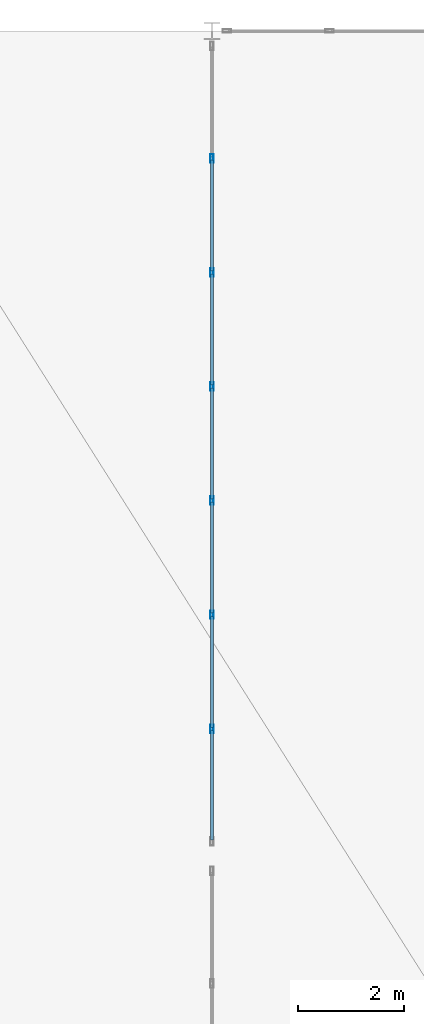
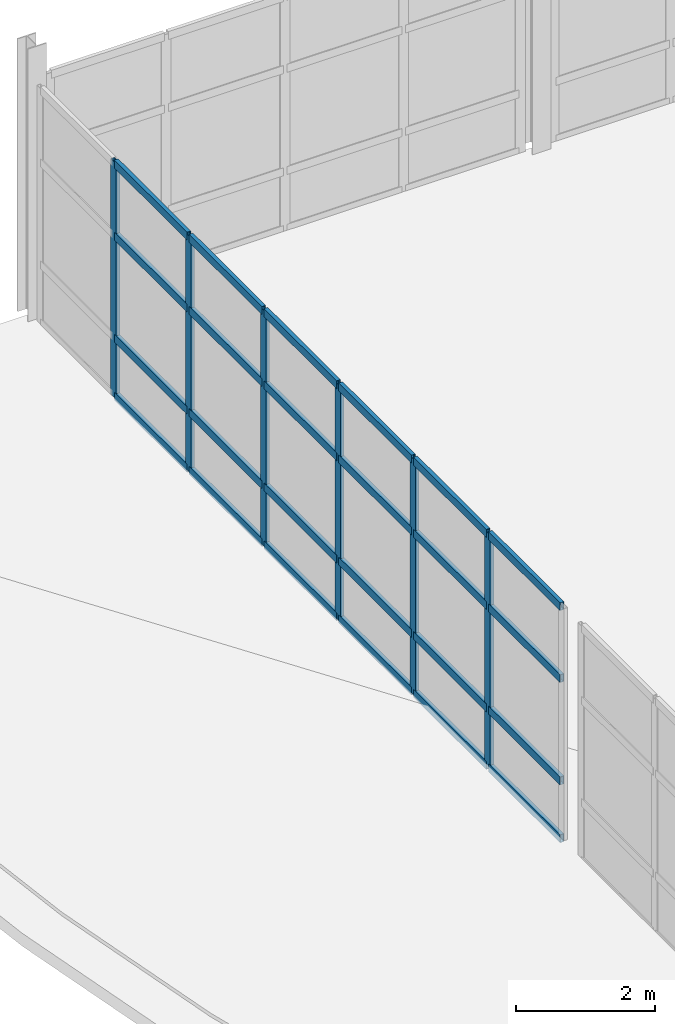
# One storey, part 7 of 14: 30 members, 1 element without a shape of its own.
"""IFC4 building model written with IfcOpenShell, lengths in metres."""

from ifc_helpers import new_model, si_unit, direction, frame, origin, origin_2d, place, context, subcontext, project, spatial, hollow_rectangle, extrude, material, layer, layer_set, material_profile, profile_set, type_object, element, aggregate, save


model = new_model("IFC4")

# Units and contexts
model_context = context("Model", 3, precision=1e-05, world=origin(), true_north=direction((0.0, 1.0)))
body_context = subcontext(model_context, "Body", "Model", "MODEL_VIEW")
ifc_project = project(units=[si_unit("LENGTHUNIT", "METRE"), si_unit("AREAUNIT", "SQUARE_METRE"), si_unit("VOLUMEUNIT", "CUBIC_METRE"), si_unit("PLANEANGLEUNIT", "RADIAN"), si_unit("MASSUNIT", "GRAM", prefix="KILO")], contexts=[model_context])

# Site, building, storey
site_placement = place(None, origin())
site = spatial("IfcSite", under=ifc_project, at=site_placement, CompositionType="ELEMENT")
building_placement = place(site_placement, origin())
building = spatial("IfcBuilding", under=site, at=building_placement, Name="Selat Folded Stagehouse", CompositionType="ELEMENT")
storey_placement = place(building_placement, frame((0.0, 0.0, 27.60009765625)))
storey = spatial("IfcBuildingStorey", under=building, at=storey_placement, Name="L06", CompositionType="ELEMENT", Elevation=27.60009765625)

# Curtain wall, members
ifc_material = material(Name="Aluminium 6063-T6", Category="aluminium")
ifc_layer = layer(ifc_material, 0.175048828125)
ifc_layer_set = layer_set([ifc_layer], Name="Aluminium 6063-T6")
curtain_wall_type = type_object("IfcCurtainWallType", Name="CW-BRG-GLAZ", PredefinedType="NOTDEFINED", material=ifc_layer_set)
curtain_wall_placement = place(storey_placement, origin())
curtain_wall = element("IfcCurtainWall", 1, at=curtain_wall_placement, inside=storey, type_object=curtain_wall_type, Name="L06 curtain wall CW-BRG-27", PredefinedType="NOTDEFINED")
ifc_material_profile_1 = material_profile(ifc_material, hollow_rectangle(XDim=0.06005859375, YDim=0.159912109375, WallThickness=0.00390625, at=origin_2d()), Name="ALU 160x60x4.0")
ifc_profile_set_1 = profile_set([ifc_material_profile_1], Name="Aluminium 6063-T6")
member_type_1 = type_object("IfcMemberType", Name="CWM-MUL-160x60", PredefinedType="MULLION", material=ifc_profile_set_1)
member_1_placement = place(storey_placement, frame((8.39990234375, 41.4072265625, 0.0), z_axis=(0.0, 0.0, 1.0), x_axis=(-1.0, 0.0, 0.0)))
member_1 = element("IfcMember", 2, at=member_1_placement, type_object=member_type_1, Name="CW-07 mullion 2", PredefinedType="MULLION", context=body_context, shape_type="SweptSolid", body=[
    extrude(hollow_rectangle(XDim=0.06005859375, YDim=0.159912109375, WallThickness=0.00390625, at=origin_2d()), origin(), (0.0, 0.0, 1.0), 4.14990234375),
])
member_2_placement = place(storey_placement, frame((8.39990234375, 43.564208984375, 0.0), z_axis=(0.0, 0.0, 1.0), x_axis=(-1.0, 0.0, 0.0)))
member_2 = element("IfcMember", 3, at=member_2_placement, type_object=member_type_1, Name="CW-07 mullion 3", PredefinedType="MULLION", context=body_context, shape_type="SweptSolid", body=[
    extrude(hollow_rectangle(XDim=0.06005859375, YDim=0.159912109375, WallThickness=0.00390625, at=origin_2d()), origin(), (0.0, 0.0, 1.0), 4.14990234375),
])
member_3_placement = place(storey_placement, frame((8.39990234375, 45.721435546875, 0.0), z_axis=(0.0, 0.0, 1.0), x_axis=(-1.0, 0.0, 0.0)))
member_3 = element("IfcMember", 4, at=member_3_placement, type_object=member_type_1, Name="CW-07 mullion 4", PredefinedType="MULLION", context=body_context, shape_type="SweptSolid", body=[
    extrude(hollow_rectangle(XDim=0.06005859375, YDim=0.159912109375, WallThickness=0.00390625, at=origin_2d()), origin(), (0.0, 0.0, 1.0), 4.14990234375),
])
member_4_placement = place(storey_placement, frame((8.39990234375, 47.878662109375, 0.0), z_axis=(0.0, 0.0, 1.0), x_axis=(-1.0, 0.0, 0.0)))
member_4 = element("IfcMember", 5, at=member_4_placement, type_object=member_type_1, Name="CW-07 mullion 5", PredefinedType="MULLION", context=body_context, shape_type="SweptSolid", body=[
    extrude(hollow_rectangle(XDim=0.06005859375, YDim=0.159912109375, WallThickness=0.00390625, at=origin_2d()), origin(), (0.0, 0.0, 1.0), 4.14990234375),
])
member_5_placement = place(storey_placement, frame((8.39990234375, 50.03564453125, 0.0), z_axis=(0.0, 0.0, 1.0), x_axis=(-1.0, 0.0, 0.0)))
member_5 = element("IfcMember", 6, at=member_5_placement, type_object=member_type_1, Name="CW-07 mullion 6", PredefinedType="MULLION", context=body_context, shape_type="SweptSolid", body=[
    extrude(hollow_rectangle(XDim=0.06005859375, YDim=0.159912109375, WallThickness=0.00390625, at=origin_2d()), origin(), (0.0, 0.0, 1.0), 4.14990234375),
])
member_6_placement = place(storey_placement, frame((8.39990234375, 52.19287109375, 0.0), z_axis=(0.0, 0.0, 1.0), x_axis=(-1.0, 0.0, 0.0)))
member_6 = element("IfcMember", 7, at=member_6_placement, type_object=member_type_1, Name="CW-07 mullion 7", PredefinedType="MULLION", context=body_context, shape_type="SweptSolid", body=[
    extrude(hollow_rectangle(XDim=0.06005859375, YDim=0.159912109375, WallThickness=0.00390625, at=origin_2d()), origin(), (0.0, 0.0, 1.0), 4.14990234375),
])
ifc_material_profile_2 = material_profile(ifc_material, hollow_rectangle(XDim=0.06494140625, YDim=0.139892578125, WallThickness=0.00390625, at=origin_2d()), Name="ALU 140x65x4.0")
ifc_profile_set_2 = profile_set([ifc_material_profile_2], Name="Aluminium 6063-T6")
member_type_2 = type_object("IfcMemberType", Name="CWM-TRN-140x65", PredefinedType="USERDEFINED", material=ifc_profile_set_2)
member_7_placement = place(storey_placement, frame((8.39990234375, 39.31005859375, 0.032470703125), z_axis=(0.0, 1.0, 0.0), x_axis=(-1.0, 0.0, 0.0)))
member_7 = element("IfcMember", 8, at=member_7_placement, type_object=member_type_2, Name="CW-07 transom 1.1", ObjectType="TRANSOM", PredefinedType="USERDEFINED", context=body_context, shape_type="SweptSolid", body=[
    extrude(hollow_rectangle(XDim=0.06494140625, YDim=0.139892578125, WallThickness=0.00390625, at=origin_2d()), origin(), (0.0, 0.0, 1.0), 2.067138671875),
])
member_8_placement = place(storey_placement, frame((8.39990234375, 39.31005859375, 1.0498046875), z_axis=(0.0, 1.0, 0.0), x_axis=(-1.0, 0.0, 0.0)))
member_8 = element("IfcMember", 9, at=member_8_placement, type_object=member_type_2, Name="CW-07 transom 1.2", ObjectType="TRANSOM", PredefinedType="USERDEFINED", context=body_context, shape_type="SweptSolid", body=[
    extrude(hollow_rectangle(XDim=0.06494140625, YDim=0.139892578125, WallThickness=0.00390625, at=origin_2d()), origin(), (0.0, 0.0, 1.0), 2.067138671875),
])
member_9_placement = place(storey_placement, frame((8.39990234375, 39.31005859375, 2.849853515625), z_axis=(0.0, 1.0, 0.0), x_axis=(-1.0, 0.0, 0.0)))
member_9 = element("IfcMember", 10, at=member_9_placement, type_object=member_type_2, Name="CW-07 transom 1.3", ObjectType="TRANSOM", PredefinedType="USERDEFINED", context=body_context, shape_type="SweptSolid", body=[
    extrude(hollow_rectangle(XDim=0.06494140625, YDim=0.139892578125, WallThickness=0.00390625, at=origin_2d()), origin(), (0.0, 0.0, 1.0), 2.067138671875),
])
member_10_placement = place(storey_placement, frame((8.39990234375, 39.31005859375, 4.117431640625), z_axis=(0.0, 1.0, 0.0), x_axis=(-1.0, 0.0, 0.0)))
member_10 = element("IfcMember", 11, at=member_10_placement, type_object=member_type_2, Name="CW-07 transom 1.4", ObjectType="TRANSOM", PredefinedType="USERDEFINED", context=body_context, shape_type="SweptSolid", body=[
    extrude(hollow_rectangle(XDim=0.06494140625, YDim=0.139892578125, WallThickness=0.00390625, at=origin_2d()), origin(), (0.0, 0.0, 1.0), 2.067138671875),
])
member_11_placement = place(storey_placement, frame((8.39990234375, 41.437255859375, 0.032470703125), z_axis=(0.0, 1.0, 0.0), x_axis=(-1.0, 0.0, 0.0)))
member_11 = element("IfcMember", 12, at=member_11_placement, type_object=member_type_2, Name="CW-07 transom 2.1", ObjectType="TRANSOM", PredefinedType="USERDEFINED", context=body_context, shape_type="SweptSolid", body=[
    extrude(hollow_rectangle(XDim=0.06494140625, YDim=0.139892578125, WallThickness=0.00390625, at=origin_2d()), origin(), (0.0, 0.0, 1.0), 2.096923828125),
])
member_12_placement = place(storey_placement, frame((8.39990234375, 41.437255859375, 1.0498046875), z_axis=(0.0, 1.0, 0.0), x_axis=(-1.0, 0.0, 0.0)))
member_12 = element("IfcMember", 13, at=member_12_placement, type_object=member_type_2, Name="CW-07 transom 2.2", ObjectType="TRANSOM", PredefinedType="USERDEFINED", context=body_context, shape_type="SweptSolid", body=[
    extrude(hollow_rectangle(XDim=0.06494140625, YDim=0.139892578125, WallThickness=0.00390625, at=origin_2d()), origin(), (0.0, 0.0, 1.0), 2.096923828125),
])
member_13_placement = place(storey_placement, frame((8.39990234375, 41.437255859375, 2.849853515625), z_axis=(0.0, 1.0, 0.0), x_axis=(-1.0, 0.0, 0.0)))
member_13 = element("IfcMember", 14, at=member_13_placement, type_object=member_type_2, Name="CW-07 transom 2.3", ObjectType="TRANSOM", PredefinedType="USERDEFINED", context=body_context, shape_type="SweptSolid", body=[
    extrude(hollow_rectangle(XDim=0.06494140625, YDim=0.139892578125, WallThickness=0.00390625, at=origin_2d()), origin(), (0.0, 0.0, 1.0), 2.096923828125),
])
member_14_placement = place(storey_placement, frame((8.39990234375, 41.437255859375, 4.117431640625), z_axis=(0.0, 1.0, 0.0), x_axis=(-1.0, 0.0, 0.0)))
member_14 = element("IfcMember", 15, at=member_14_placement, type_object=member_type_2, Name="CW-07 transom 2.4", ObjectType="TRANSOM", PredefinedType="USERDEFINED", context=body_context, shape_type="SweptSolid", body=[
    extrude(hollow_rectangle(XDim=0.06494140625, YDim=0.139892578125, WallThickness=0.00390625, at=origin_2d()), origin(), (0.0, 0.0, 1.0), 2.096923828125),
])
member_15_placement = place(storey_placement, frame((8.39990234375, 43.59423828125, 0.032470703125), z_axis=(0.0, 1.0, 0.0), x_axis=(-1.0, 0.0, 0.0)))
member_15 = element("IfcMember", 16, at=member_15_placement, type_object=member_type_2, Name="CW-07 transom 3.1", ObjectType="TRANSOM", PredefinedType="USERDEFINED", context=body_context, shape_type="SweptSolid", body=[
    extrude(hollow_rectangle(XDim=0.06494140625, YDim=0.139892578125, WallThickness=0.00390625, at=origin_2d()), origin(), (0.0, 0.0, 1.0), 2.09716796875),
])
member_16_placement = place(storey_placement, frame((8.39990234375, 43.59423828125, 1.0498046875), z_axis=(0.0, 1.0, 0.0), x_axis=(-1.0, 0.0, 0.0)))
member_16 = element("IfcMember", 17, at=member_16_placement, type_object=member_type_2, Name="CW-07 transom 3.2", ObjectType="TRANSOM", PredefinedType="USERDEFINED", context=body_context, shape_type="SweptSolid", body=[
    extrude(hollow_rectangle(XDim=0.06494140625, YDim=0.139892578125, WallThickness=0.00390625, at=origin_2d()), origin(), (0.0, 0.0, 1.0), 2.09716796875),
])
member_17_placement = place(storey_placement, frame((8.39990234375, 43.59423828125, 2.849853515625), z_axis=(0.0, 1.0, 0.0), x_axis=(-1.0, 0.0, 0.0)))
member_17 = element("IfcMember", 18, at=member_17_placement, type_object=member_type_2, Name="CW-07 transom 3.3", ObjectType="TRANSOM", PredefinedType="USERDEFINED", context=body_context, shape_type="SweptSolid", body=[
    extrude(hollow_rectangle(XDim=0.06494140625, YDim=0.139892578125, WallThickness=0.00390625, at=origin_2d()), origin(), (0.0, 0.0, 1.0), 2.09716796875),
])
member_18_placement = place(storey_placement, frame((8.39990234375, 43.59423828125, 4.117431640625), z_axis=(0.0, 1.0, 0.0), x_axis=(-1.0, 0.0, 0.0)))
member_18 = element("IfcMember", 19, at=member_18_placement, type_object=member_type_2, Name="CW-07 transom 3.4", ObjectType="TRANSOM", PredefinedType="USERDEFINED", context=body_context, shape_type="SweptSolid", body=[
    extrude(hollow_rectangle(XDim=0.06494140625, YDim=0.139892578125, WallThickness=0.00390625, at=origin_2d()), origin(), (0.0, 0.0, 1.0), 2.09716796875),
])
member_19_placement = place(storey_placement, frame((8.39990234375, 45.75146484375, 0.032470703125), z_axis=(0.0, 1.0, 0.0), x_axis=(-1.0, 0.0, 0.0)))
member_19 = element("IfcMember", 20, at=member_19_placement, type_object=member_type_2, Name="CW-07 transom 4.1", ObjectType="TRANSOM", PredefinedType="USERDEFINED", context=body_context, shape_type="SweptSolid", body=[
    extrude(hollow_rectangle(XDim=0.06494140625, YDim=0.139892578125, WallThickness=0.00390625, at=origin_2d()), origin(), (0.0, 0.0, 1.0), 2.09716796875),
])
member_20_placement = place(storey_placement, frame((8.39990234375, 45.75146484375, 1.0498046875), z_axis=(0.0, 1.0, 0.0), x_axis=(-1.0, 0.0, 0.0)))
member_20 = element("IfcMember", 21, at=member_20_placement, type_object=member_type_2, Name="CW-07 transom 4.2", ObjectType="TRANSOM", PredefinedType="USERDEFINED", context=body_context, shape_type="SweptSolid", body=[
    extrude(hollow_rectangle(XDim=0.06494140625, YDim=0.139892578125, WallThickness=0.00390625, at=origin_2d()), origin(), (0.0, 0.0, 1.0), 2.09716796875),
])
member_21_placement = place(storey_placement, frame((8.39990234375, 45.75146484375, 2.849853515625), z_axis=(0.0, 1.0, 0.0), x_axis=(-1.0, 0.0, 0.0)))
member_21 = element("IfcMember", 22, at=member_21_placement, type_object=member_type_2, Name="CW-07 transom 4.3", ObjectType="TRANSOM", PredefinedType="USERDEFINED", context=body_context, shape_type="SweptSolid", body=[
    extrude(hollow_rectangle(XDim=0.06494140625, YDim=0.139892578125, WallThickness=0.00390625, at=origin_2d()), origin(), (0.0, 0.0, 1.0), 2.09716796875),
])
member_22_placement = place(storey_placement, frame((8.39990234375, 45.75146484375, 4.117431640625), z_axis=(0.0, 1.0, 0.0), x_axis=(-1.0, 0.0, 0.0)))
member_22 = element("IfcMember", 23, at=member_22_placement, type_object=member_type_2, Name="CW-07 transom 4.4", ObjectType="TRANSOM", PredefinedType="USERDEFINED", context=body_context, shape_type="SweptSolid", body=[
    extrude(hollow_rectangle(XDim=0.06494140625, YDim=0.139892578125, WallThickness=0.00390625, at=origin_2d()), origin(), (0.0, 0.0, 1.0), 2.09716796875),
])
member_23_placement = place(storey_placement, frame((8.39990234375, 47.90869140625, 0.032470703125), z_axis=(0.0, 1.0, 0.0), x_axis=(-1.0, 0.0, 0.0)))
member_23 = element("IfcMember", 24, at=member_23_placement, type_object=member_type_2, Name="CW-07 transom 5.1", ObjectType="TRANSOM", PredefinedType="USERDEFINED", context=body_context, shape_type="SweptSolid", body=[
    extrude(hollow_rectangle(XDim=0.06494140625, YDim=0.139892578125, WallThickness=0.00390625, at=origin_2d()), origin(), (0.0, 0.0, 1.0), 2.096923828125),
])
member_24_placement = place(storey_placement, frame((8.39990234375, 47.90869140625, 1.0498046875), z_axis=(0.0, 1.0, 0.0), x_axis=(-1.0, 0.0, 0.0)))
member_24 = element("IfcMember", 25, at=member_24_placement, type_object=member_type_2, Name="CW-07 transom 5.2", ObjectType="TRANSOM", PredefinedType="USERDEFINED", context=body_context, shape_type="SweptSolid", body=[
    extrude(hollow_rectangle(XDim=0.06494140625, YDim=0.139892578125, WallThickness=0.00390625, at=origin_2d()), origin(), (0.0, 0.0, 1.0), 2.096923828125),
])
member_25_placement = place(storey_placement, frame((8.39990234375, 47.90869140625, 2.849853515625), z_axis=(0.0, 1.0, 0.0), x_axis=(-1.0, 0.0, 0.0)))
member_25 = element("IfcMember", 26, at=member_25_placement, type_object=member_type_2, Name="CW-07 transom 5.3", ObjectType="TRANSOM", PredefinedType="USERDEFINED", context=body_context, shape_type="SweptSolid", body=[
    extrude(hollow_rectangle(XDim=0.06494140625, YDim=0.139892578125, WallThickness=0.00390625, at=origin_2d()), origin(), (0.0, 0.0, 1.0), 2.096923828125),
])
member_26_placement = place(storey_placement, frame((8.39990234375, 47.90869140625, 4.117431640625), z_axis=(0.0, 1.0, 0.0), x_axis=(-1.0, 0.0, 0.0)))
member_26 = element("IfcMember", 27, at=member_26_placement, type_object=member_type_2, Name="CW-07 transom 5.4", ObjectType="TRANSOM", PredefinedType="USERDEFINED", context=body_context, shape_type="SweptSolid", body=[
    extrude(hollow_rectangle(XDim=0.06494140625, YDim=0.139892578125, WallThickness=0.00390625, at=origin_2d()), origin(), (0.0, 0.0, 1.0), 2.096923828125),
])
member_27_placement = place(storey_placement, frame((8.39990234375, 50.065673828125, 0.032470703125), z_axis=(0.0, 1.0, 0.0), x_axis=(-1.0, 0.0, 0.0)))
member_27 = element("IfcMember", 28, at=member_27_placement, type_object=member_type_2, Name="CW-07 transom 6.1", ObjectType="TRANSOM", PredefinedType="USERDEFINED", context=body_context, shape_type="SweptSolid", body=[
    extrude(hollow_rectangle(XDim=0.06494140625, YDim=0.139892578125, WallThickness=0.00390625, at=origin_2d()), origin(), (0.0, 0.0, 1.0), 2.09716796875),
])
member_28_placement = place(storey_placement, frame((8.39990234375, 50.065673828125, 1.0498046875), z_axis=(0.0, 1.0, 0.0), x_axis=(-1.0, 0.0, 0.0)))
member_28 = element("IfcMember", 29, at=member_28_placement, type_object=member_type_2, Name="CW-07 transom 6.2", ObjectType="TRANSOM", PredefinedType="USERDEFINED", context=body_context, shape_type="SweptSolid", body=[
    extrude(hollow_rectangle(XDim=0.06494140625, YDim=0.139892578125, WallThickness=0.00390625, at=origin_2d()), origin(), (0.0, 0.0, 1.0), 2.09716796875),
])
member_29_placement = place(storey_placement, frame((8.39990234375, 50.065673828125, 2.849853515625), z_axis=(0.0, 1.0, 0.0), x_axis=(-1.0, 0.0, 0.0)))
member_29 = element("IfcMember", 30, at=member_29_placement, type_object=member_type_2, Name="CW-07 transom 6.3", ObjectType="TRANSOM", PredefinedType="USERDEFINED", context=body_context, shape_type="SweptSolid", body=[
    extrude(hollow_rectangle(XDim=0.06494140625, YDim=0.139892578125, WallThickness=0.00390625, at=origin_2d()), origin(), (0.0, 0.0, 1.0), 2.09716796875),
])
member_30_placement = place(storey_placement, frame((8.39990234375, 50.065673828125, 4.117431640625), z_axis=(0.0, 1.0, 0.0), x_axis=(-1.0, 0.0, 0.0)))
member_30 = element("IfcMember", 31, at=member_30_placement, type_object=member_type_2, Name="CW-07 transom 6.4", ObjectType="TRANSOM", PredefinedType="USERDEFINED", context=body_context, shape_type="SweptSolid", body=[
    extrude(hollow_rectangle(XDim=0.06494140625, YDim=0.139892578125, WallThickness=0.00390625, at=origin_2d()), origin(), (0.0, 0.0, 1.0), 2.09716796875),
])
aggregate(curtain_wall, [member_1, member_2, member_3, member_4, member_5, member_6, member_7, member_8, member_9, member_10, member_11, member_12, member_13, member_14, member_15, member_16, member_17, member_18, member_19, member_20, member_21, member_22, member_23, member_24, member_25, member_26, member_27, member_28, member_29, member_30])

save(model, "model.ifc")
